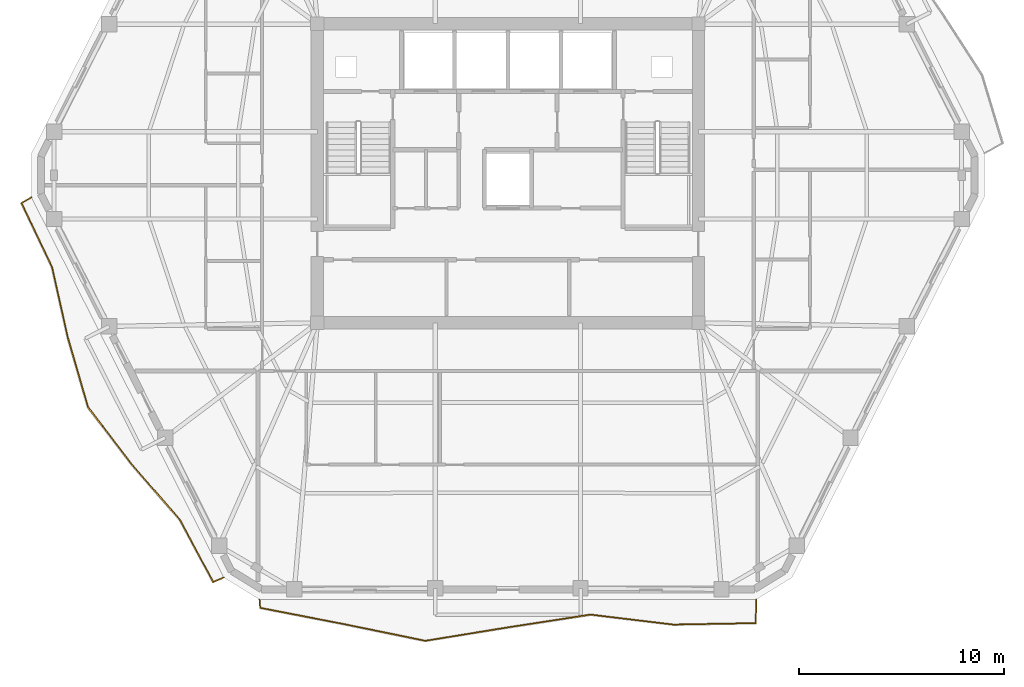
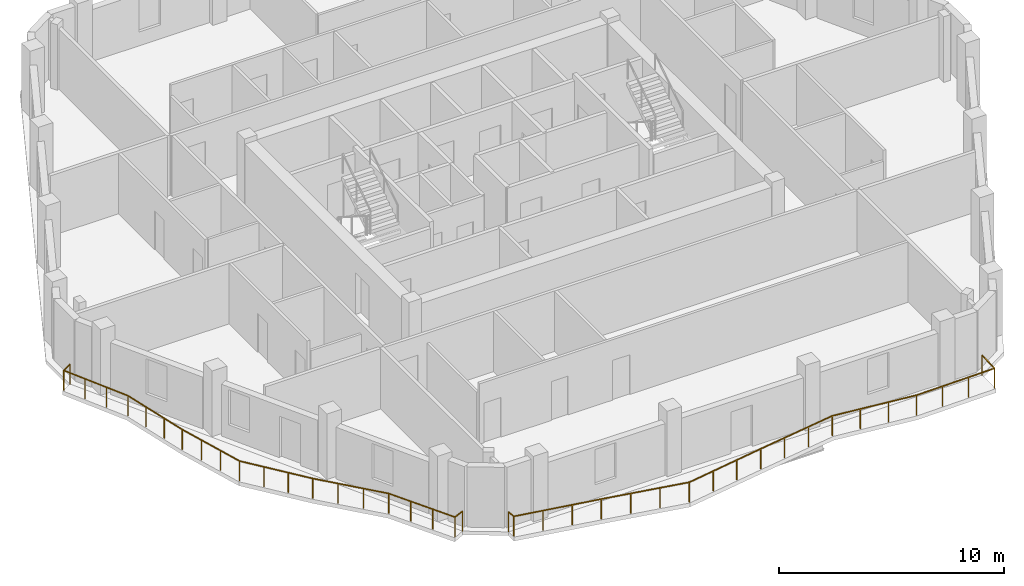
# One storey, part 8 of 10: 2 railings.
"""IFC4 building model written with IfcOpenShell, lengths in metres."""

from ifc_helpers import new_model, si_unit, direction, frame, origin, origin_2d, place, context, subcontext, project, spatial, rectangle, extrude, material, type_object, element, save


model = new_model("IFC4")

# Units and contexts
model_context = context("Model", 3, precision=1e-05, world=origin(), true_north=direction((0.0, 1.0)))
body_context = subcontext(model_context, "Body", "Model", "MODEL_VIEW")
ifc_project = project(units=[si_unit("LENGTHUNIT", "METRE"), si_unit("AREAUNIT", "SQUARE_METRE"), si_unit("VOLUMEUNIT", "CUBIC_METRE"), si_unit("PLANEANGLEUNIT", "RADIAN"), si_unit("MASSUNIT", "GRAM", prefix="KILO")], contexts=[model_context])

# Site, building, storey
site_placement = place(None, origin())
site = spatial("IfcSite", under=ifc_project, at=site_placement, CompositionType="ELEMENT")
building_placement = place(site_placement, origin())
building = spatial("IfcBuilding", under=site, at=building_placement, Name="Cinnabar Lancet Tower", CompositionType="ELEMENT")
storey_placement = place(building_placement, frame((0.0, 0.0, 218.050048828125)))
storey = spatial("IfcBuildingStorey", under=building, at=storey_placement, Name="L58", CompositionType="ELEMENT", Elevation=218.050048828125)

# Railings
ifc_material = material(Name="Laminated safety glass and bronze stainless steel balustrade", Category="steel")
railing_type = type_object("IfcRailingType", Name="ENV-RLG-BAL-1100", PredefinedType="BALUSTRADE", material=ifc_material)
railing_1_placement = place(storey_placement, frame((20.27197265625, 5.10009765625, 0.0)))
element("IfcRailing", 1, at=railing_1_placement, inside=storey, type_object=railing_type, Name="L58 Face 1 Wave Balcony Balustrade", PredefinedType="BALUSTRADE", context=body_context, shape_type="SweptSolid", body=[
    extrude(rectangle(XDim=0.048095703125, YDim=0.048095703125, at=origin_2d()), frame((0.0, 0.0, 1.076171875), z_axis=(0.085013313604, -0.996379815387, 0.0), x_axis=(0.996379815387, 0.085013313604, 0.0)), (0.0, 0.0, 1.0), 0.41064453125),
    extrude(rectangle(XDim=0.048095703125, YDim=0.048095703125, at=origin_2d()), frame((0.034912109375, -0.4091796875, 1.076171875), z_axis=(0.981709313714, -0.190385985216, 0.0), x_axis=(0.190385985216, 0.981709313714, 0.0)), (0.0, 0.0, 1.0), 4.107421875),
    extrude(rectangle(XDim=0.048095703125, YDim=0.048095703125, at=origin_2d()), frame((4.067138671875, -1.191162109375, 1.076171875), z_axis=(0.979589218888, -0.201009856075, 0.0), x_axis=(0.201009856075, 0.979589218888, 0.0)), (0.0, 0.0, 1.0), 4.11376953125),
    extrude(rectangle(XDim=0.048095703125, YDim=0.048095703125, at=origin_2d()), frame((8.096923828125, -2.01806640625, 1.076171875), z_axis=(0.987015205697, 0.160626846206, 0.0), x_axis=(-0.160626846206, 0.987015205697, 0.0)), (0.0, 0.0, 1.0), 4.083984375),
    extrude(rectangle(XDim=0.048095703125, YDim=0.048095703125, at=origin_2d()), frame((12.1279296875, -1.362060546875, 1.076171875), z_axis=(0.988259304147, 0.152785954091, 0.0), x_axis=(-0.152785954091, 0.988259304147, 0.0)), (0.0, 0.0, 1.0), 4.077880859375),
    extrude(rectangle(XDim=0.048095703125, YDim=0.048095703125, at=origin_2d()), frame((16.157958984375, -0.739013671875, 1.076171875), z_axis=(0.992750531679, -0.120193102345, 0.0), x_axis=(0.120193102345, 0.992750531679, 0.0)), (0.0, 0.0, 1.0), 4.060546875),
    extrude(rectangle(XDim=0.048095703125, YDim=0.048095703125, at=origin_2d()), frame((20.18896484375, -1.22705078125, 1.076171875), z_axis=(0.999844872994, 0.017613345726, 0.0), x_axis=(-0.017613345726, 0.999844872994, 0.0)), (0.0, 0.0, 1.0), 4.03369140625),
    extrude(rectangle(XDim=0.048095703125, YDim=0.048095703125, at=origin_2d()), frame((24.221923828125, -1.156005859375, 1.076171875), z_axis=(0.029554138405, 0.999563181046, 0.0), x_axis=(-0.999563181046, 0.029554138405, 0.0)), (0.0, 0.0, 1.0), 1.156494140625),
    extrude(rectangle(XDim=0.0419921875, YDim=0.0419921875, at=origin_2d()), origin(), (0.0, 0.0, 1.0), 1.052001953125),
    extrude(rectangle(XDim=0.0419921875, YDim=0.0419921875, at=origin_2d()), frame((0.034912109375, -0.4091796875, 0.0)), (0.0, 0.0, 1.0), 1.052001953125),
    extrude(rectangle(XDim=0.0419921875, YDim=0.0419921875, at=origin_2d()), frame((1.37890625, -0.669921875, 0.0)), (0.0, 0.0, 1.0), 1.052001953125),
    extrude(rectangle(XDim=0.0419921875, YDim=0.0419921875, at=origin_2d()), frame((2.72314453125, -0.930419921875, 0.0)), (0.0, 0.0, 1.0), 1.052001953125),
    extrude(rectangle(XDim=0.0419921875, YDim=0.0419921875, at=origin_2d()), frame((4.067138671875, -1.191162109375, 0.0)), (0.0, 0.0, 1.0), 1.052001953125),
    extrude(rectangle(XDim=0.0419921875, YDim=0.0419921875, at=origin_2d()), frame((5.410400390625, -1.466796875, 0.0)), (0.0, 0.0, 1.0), 1.052001953125),
    extrude(rectangle(XDim=0.0419921875, YDim=0.0419921875, at=origin_2d()), frame((6.753662109375, -1.742431640625, 0.0)), (0.0, 0.0, 1.0), 1.052001953125),
    extrude(rectangle(XDim=0.0419921875, YDim=0.0419921875, at=origin_2d()), frame((8.096923828125, -2.01806640625, 0.0)), (0.0, 0.0, 1.0), 1.052001953125),
    extrude(rectangle(XDim=0.0419921875, YDim=0.0419921875, at=origin_2d()), frame((9.440673828125, -1.79931640625, 0.0)), (0.0, 0.0, 1.0), 1.052001953125),
    extrude(rectangle(XDim=0.0419921875, YDim=0.0419921875, at=origin_2d()), frame((10.7841796875, -1.580810546875, 0.0)), (0.0, 0.0, 1.0), 1.052001953125),
    extrude(rectangle(XDim=0.0419921875, YDim=0.0419921875, at=origin_2d()), frame((12.1279296875, -1.362060546875, 0.0)), (0.0, 0.0, 1.0), 1.052001953125),
    extrude(rectangle(XDim=0.0419921875, YDim=0.0419921875, at=origin_2d()), frame((13.47119140625, -1.154296875, 0.0)), (0.0, 0.0, 1.0), 1.052001953125),
    extrude(rectangle(XDim=0.0419921875, YDim=0.0419921875, at=origin_2d()), frame((14.814697265625, -0.94677734375, 0.0)), (0.0, 0.0, 1.0), 1.052001953125),
    extrude(rectangle(XDim=0.0419921875, YDim=0.0419921875, at=origin_2d()), frame((16.157958984375, -0.739013671875, 0.0)), (0.0, 0.0, 1.0), 1.052001953125),
    extrude(rectangle(XDim=0.0419921875, YDim=0.0419921875, at=origin_2d()), frame((17.501708984375, -0.901611328125, 0.0)), (0.0, 0.0, 1.0), 1.052001953125),
    extrude(rectangle(XDim=0.0419921875, YDim=0.0419921875, at=origin_2d()), frame((18.84521484375, -1.064453125, 0.0)), (0.0, 0.0, 1.0), 1.052001953125),
    extrude(rectangle(XDim=0.0419921875, YDim=0.0419921875, at=origin_2d()), frame((20.18896484375, -1.22705078125, 0.0)), (0.0, 0.0, 1.0), 1.052001953125),
    extrude(rectangle(XDim=0.0419921875, YDim=0.0419921875, at=origin_2d()), frame((21.533203125, -1.203369140625, 0.0)), (0.0, 0.0, 1.0), 1.052001953125),
    extrude(rectangle(XDim=0.0419921875, YDim=0.0419921875, at=origin_2d()), frame((22.877685546875, -1.1796875, 0.0)), (0.0, 0.0, 1.0), 1.052001953125),
    extrude(rectangle(XDim=0.0419921875, YDim=0.0419921875, at=origin_2d()), frame((24.221923828125, -1.156005859375, 0.0)), (0.0, 0.0, 1.0), 1.052001953125),
    extrude(rectangle(XDim=0.0419921875, YDim=0.0419921875, at=origin_2d()), frame((24.256103515625, 0.0, 0.0)), (0.0, 0.0, 1.0), 1.052001953125),
])
railing_2_placement = place(storey_placement, frame((9.14208984375, 24.72900390625, 0.0)))
element("IfcRailing", 2, at=railing_2_placement, inside=storey, type_object=railing_type, Name="L58 Face 6 Wave Balcony Balustrade", PredefinedType="BALUSTRADE", context=body_context, shape_type="SweptSolid", body=[
    extrude(rectangle(XDim=0.048095703125, YDim=0.048095703125, at=origin_2d()), frame((0.0, 0.0, 1.076171875), z_axis=(-0.868001583081, -0.496561427991, 0.0), x_axis=(0.496561427991, -0.868001583081, 0.0)), (0.0, 0.0, 1.0), 0.56005859375),
    extrude(rectangle(XDim=0.048095703125, YDim=0.048095703125, at=origin_2d()), frame((-0.486083984375, -0.278076171875, 1.076171875), z_axis=(0.431295556259, -0.902210697759, 0.0), x_axis=(0.902210697759, 0.431295556259, 0.0)), (0.0, 0.0, 1.0), 3.45703125),
    extrude(rectangle(XDim=0.048095703125, YDim=0.048095703125, at=origin_2d()), frame((1.0048828125, -3.39697265625, 1.076171875), z_axis=(0.21883739201, -0.97576134165, 0.0), x_axis=(0.97576134165, 0.21883739201, 0.0)), (0.0, 0.0, 1.0), 3.564453125),
    extrude(rectangle(XDim=0.048095703125, YDim=0.048095703125, at=origin_2d()), frame((1.784912109375, -6.875, 1.076171875), z_axis=(0.279359813427, -0.960186489512, 0.0), x_axis=(0.960186489512, 0.279359813427, 0.0)), (0.0, 0.0, 1.0), 3.514892578125),
    extrude(rectangle(XDim=0.048095703125, YDim=0.048095703125, at=origin_2d()), frame((2.766845703125, -10.25, 1.076171875), z_axis=(0.607483611515, -0.794332211194, 0.0), x_axis=(0.794332211194, 0.607483611515, 0.0)), (0.0, 0.0, 1.0), 3.51611328125),
    extrude(rectangle(XDim=0.048095703125, YDim=0.048095703125, at=origin_2d()), frame((4.90283203125, -13.04296875, 1.076171875), z_axis=(0.6563194685, -0.754483104693, 0.0), x_axis=(0.754483104693, 0.6563194685, 0.0)), (0.0, 0.0, 1.0), 3.56396484375),
    extrude(rectangle(XDim=0.048095703125, YDim=0.048095703125, at=origin_2d()), frame((7.241943359375, -15.73193359375, 1.076171875), z_axis=(0.471525882219, -0.881852222539, 0.0), x_axis=(0.881852222539, 0.471525882219, 0.0)), (0.0, 0.0, 1.0), 3.458740234375),
    extrude(rectangle(XDim=0.048095703125, YDim=0.048095703125, at=origin_2d()), frame((8.872802734375, -18.781982421875, 1.076171875), z_axis=(0.917132238078, 0.39858306271, 0.0), x_axis=(-0.39858306271, 0.917132238078, 0.0)), (0.0, 0.0, 1.0), 0.561767578125),
    extrude(rectangle(XDim=0.0419921875, YDim=0.0419921875, at=origin_2d()), origin(), (0.0, 0.0, 1.0), 1.052001953125),
    extrude(rectangle(XDim=0.0419921875, YDim=0.0419921875, at=origin_2d()), frame((-0.486083984375, -0.278076171875, 0.0)), (0.0, 0.0, 1.0), 1.052001953125),
    extrude(rectangle(XDim=0.0419921875, YDim=0.0419921875, at=origin_2d()), frame((0.010986328125, -1.317626953125, 0.0)), (0.0, 0.0, 1.0), 1.052001953125),
    extrude(rectangle(XDim=0.0419921875, YDim=0.0419921875, at=origin_2d()), frame((0.5078125, -2.357421875, 0.0)), (0.0, 0.0, 1.0), 1.052001953125),
    extrude(rectangle(XDim=0.0419921875, YDim=0.0419921875, at=origin_2d()), frame((1.0048828125, -3.39697265625, 0.0)), (0.0, 0.0, 1.0), 1.052001953125),
    extrude(rectangle(XDim=0.0419921875, YDim=0.0419921875, at=origin_2d()), frame((1.264892578125, -4.556396484375, 0.0)), (0.0, 0.0, 1.0), 1.052001953125),
    extrude(rectangle(XDim=0.0419921875, YDim=0.0419921875, at=origin_2d()), frame((1.52490234375, -5.715576171875, 0.0)), (0.0, 0.0, 1.0), 1.052001953125),
    extrude(rectangle(XDim=0.0419921875, YDim=0.0419921875, at=origin_2d()), frame((1.784912109375, -6.875, 0.0)), (0.0, 0.0, 1.0), 1.052001953125),
    extrude(rectangle(XDim=0.0419921875, YDim=0.0419921875, at=origin_2d()), frame((2.1123046875, -8.0, 0.0)), (0.0, 0.0, 1.0), 1.052001953125),
    extrude(rectangle(XDim=0.0419921875, YDim=0.0419921875, at=origin_2d()), frame((2.439453125, -9.125, 0.0)), (0.0, 0.0, 1.0), 1.052001953125),
    extrude(rectangle(XDim=0.0419921875, YDim=0.0419921875, at=origin_2d()), frame((2.766845703125, -10.25, 0.0)), (0.0, 0.0, 1.0), 1.052001953125),
    extrude(rectangle(XDim=0.0419921875, YDim=0.0419921875, at=origin_2d()), frame((3.478759765625, -11.180908203125, 0.0)), (0.0, 0.0, 1.0), 1.052001953125),
    extrude(rectangle(XDim=0.0419921875, YDim=0.0419921875, at=origin_2d()), frame((4.19091796875, -12.112060546875, 0.0)), (0.0, 0.0, 1.0), 1.052001953125),
    extrude(rectangle(XDim=0.0419921875, YDim=0.0419921875, at=origin_2d()), frame((4.90283203125, -13.04296875, 0.0)), (0.0, 0.0, 1.0), 1.052001953125),
    extrude(rectangle(XDim=0.0419921875, YDim=0.0419921875, at=origin_2d()), frame((5.6826171875, -13.939208984375, 0.0)), (0.0, 0.0, 1.0), 1.052001953125),
    extrude(rectangle(XDim=0.0419921875, YDim=0.0419921875, at=origin_2d()), frame((6.462158203125, -14.835693359375, 0.0)), (0.0, 0.0, 1.0), 1.052001953125),
    extrude(rectangle(XDim=0.0419921875, YDim=0.0419921875, at=origin_2d()), frame((7.241943359375, -15.73193359375, 0.0)), (0.0, 0.0, 1.0), 1.052001953125),
    extrude(rectangle(XDim=0.0419921875, YDim=0.0419921875, at=origin_2d()), frame((7.78564453125, -16.74853515625, 0.0)), (0.0, 0.0, 1.0), 1.052001953125),
    extrude(rectangle(XDim=0.0419921875, YDim=0.0419921875, at=origin_2d()), frame((8.3291015625, -17.765380859375, 0.0)), (0.0, 0.0, 1.0), 1.052001953125),
    extrude(rectangle(XDim=0.0419921875, YDim=0.0419921875, at=origin_2d()), frame((8.872802734375, -18.781982421875, 0.0)), (0.0, 0.0, 1.0), 1.052001953125),
    extrude(rectangle(XDim=0.0419921875, YDim=0.0419921875, at=origin_2d()), frame((9.387939453125, -18.55810546875, 0.0)), (0.0, 0.0, 1.0), 1.052001953125),
])

save(model, "model.ifc")
